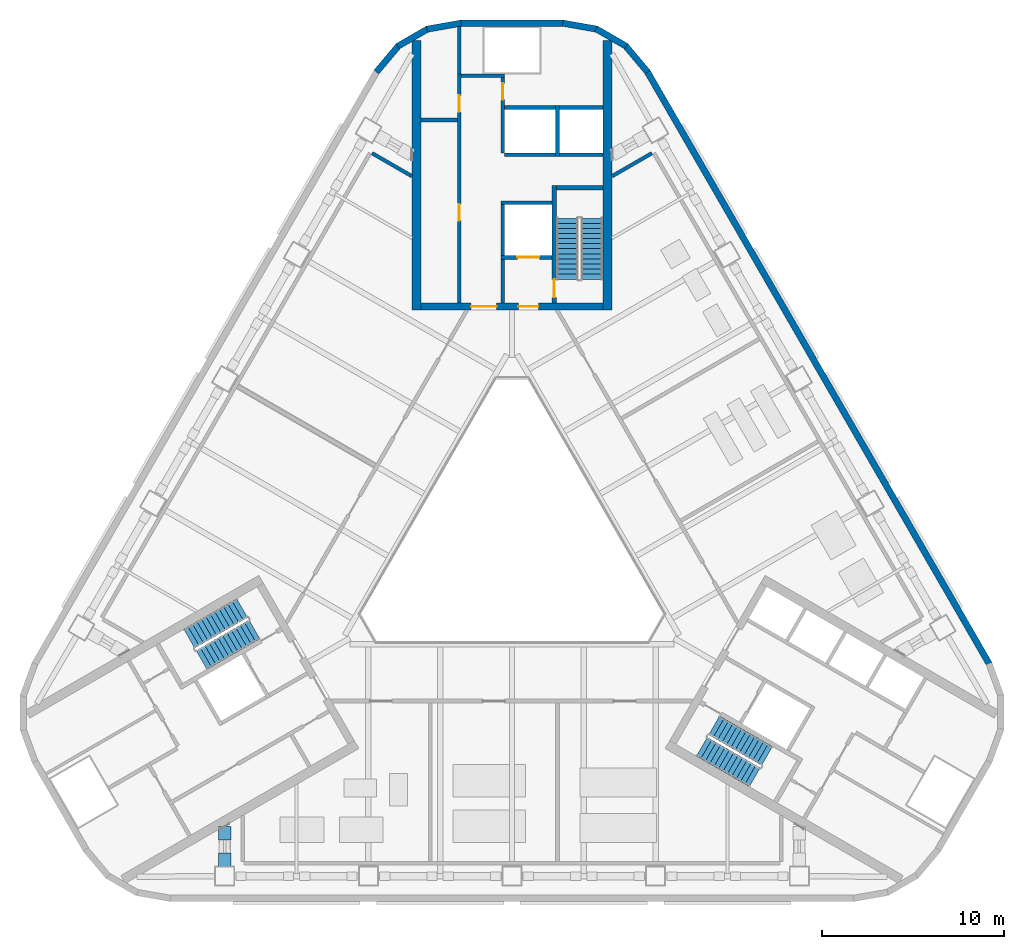
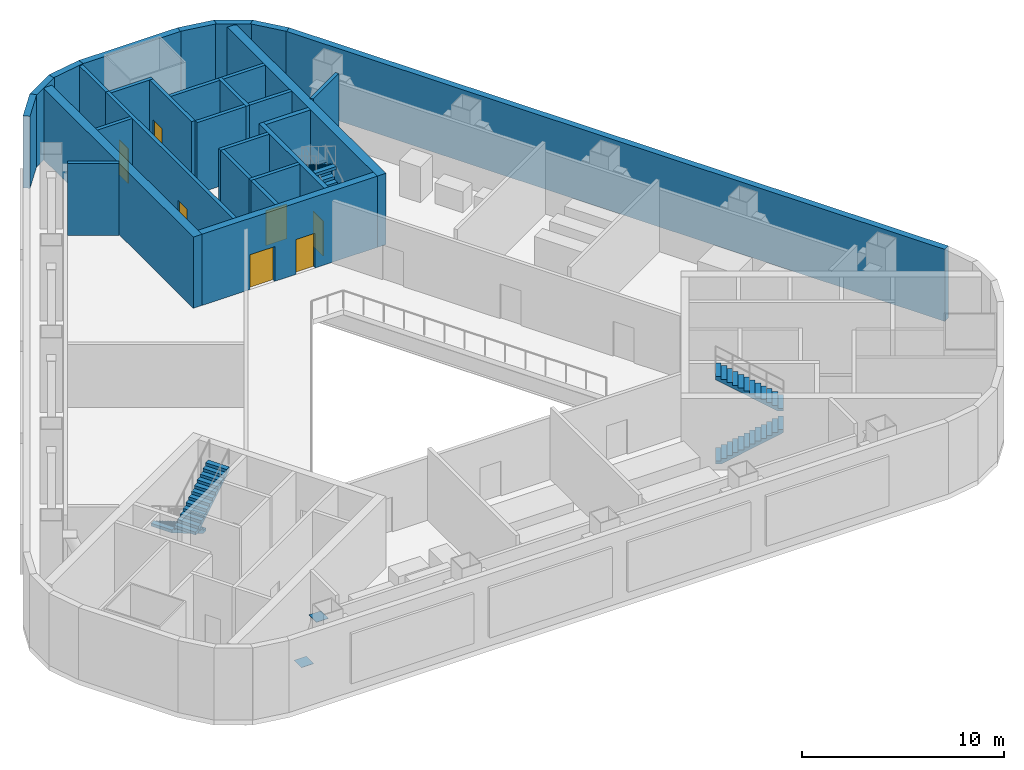
# One storey, part 8 of 14: 29 walls, 7 doors, 6 stair flights, 2 discrete accessories, 7 openings, 3 elements without a shape of their own.
"""IFC4 building model written with IfcOpenShell, lengths in metres."""

from ifc_helpers import new_model, si_unit, direction, frame, frame_2d, origin, origin_2d, place, context, subcontext, project, spatial, polyline, rectangle, outline, extrude, material, layer, layer_set, type_object, element, fill, aggregate, save


model = new_model("IFC4")

# Units and contexts
model_context = context("Model", 3, precision=1e-05, world=origin(), true_north=direction((0.0, 1.0)))
body_context = subcontext(model_context, "Body", "Model", "MODEL_VIEW")
ifc_project = project(units=[si_unit("LENGTHUNIT", "METRE"), si_unit("AREAUNIT", "SQUARE_METRE"), si_unit("VOLUMEUNIT", "CUBIC_METRE"), si_unit("PLANEANGLEUNIT", "RADIAN"), si_unit("MASSUNIT", "GRAM", prefix="KILO")], contexts=[model_context])

# Site, building, storey
site_placement = place(None, origin())
site = spatial("IfcSite", under=ifc_project, at=site_placement, CompositionType="ELEMENT")
building_placement = place(site_placement, origin())
building = spatial("IfcBuilding", under=site, at=building_placement, Name="Apuvela Tower Hotel", CompositionType="ELEMENT")
storey_placement = place(building_placement, frame((0.0, 0.0, 42.0)))
storey = spatial("IfcBuildingStorey", under=building, at=storey_placement, Name="L07 Plant", CompositionType="ELEMENT", Elevation=42.0)

# Wall, openings, doors
ifc_material_1 = material(Name="Concrete C50/60", Category="concrete")
ifc_layer_1 = layer(ifc_material_1, 0.39990234375)
ifc_layer_set_1 = layer_set([ifc_layer_1], Name="COR-WALL-CORE-400")
wall_type_1 = type_object("IfcWallType", Name="COR-WALL-CORE-400", PredefinedType="SHEAR", material=ifc_layer_set_1)
wall_1_placement = place(storey_placement, frame((5.0, 13.10009765625, 0.0), z_axis=(0.0, 0.0, 1.0), x_axis=(-1.0, 0.0, 0.0)))
wall_1 = element("IfcWall", 1, at=wall_1_placement, inside=storey, type_object=wall_type_1, Name="Core wall N", PredefinedType="SHEAR", context=body_context, shape_type="SweptSolid", body=[
    extrude(rectangle(XDim=10.0, YDim=0.39990234375, at=frame_2d((5.0, 0.0))), origin(), (0.0, 0.0, 1.0), 4.300048828125),
])
opening_1_placement = place(wall_1_placement, frame((3.550048828125, 0.0, 0.0)))
opening_1 = element("IfcOpeningElement", 2, at=opening_1_placement, cuts=wall_1, Name="Opening N-FD", PredefinedType="OPENING", context=body_context, shape_type="SweptSolid", body=[
    extrude(rectangle(XDim=1.10009765625, YDim=2.10009765625, at=frame_2d((0.550048828125, 1.050048828125))), frame((0.0, 0.2099609375, 0.0), z_axis=(0.0, -1.0, 0.0), x_axis=(1.0, 0.0, 0.0)), (0.0, 0.0, 1.0), 0.419921875),
])
opening_2_placement = place(wall_1_placement, frame((5.85009765625, 0.0, 0.0)))
opening_2 = element("IfcOpeningElement", 3, at=opening_2_placement, cuts=wall_1, Name="Opening N-GD", PredefinedType="OPENING", context=body_context, shape_type="SweptSolid", body=[
    extrude(rectangle(XDim=1.39990234375, YDim=2.10009765625, at=frame_2d((0.699951171875, 1.050048828125))), frame((0.0, 0.2099609375, 0.0), z_axis=(0.0, -1.0, 0.0), x_axis=(1.0, 0.0, 0.0)), (0.0, 0.0, 1.0), 0.419921875),
])
ifc_material_2 = material(Name="Steel fire door, powder coated", Category="steel")
door_type_1 = type_object("IfcDoorType", Name="COR-FD-1100", OperationType="NOTDEFINED", PredefinedType="DOOR", material=ifc_material_2)
door_1_placement = place(opening_1_placement, frame((1.10009765625, 0.0, 0.0), z_axis=(0.0, 0.0, 1.0), x_axis=(-1.0, 0.0, 0.0)))
door_1 = element("IfcDoor", 4, at=door_1_placement, inside=storey, type_object=door_type_1, Name="Firefighting lobby door N-FD", OperationType="SINGLE_SWING_LEFT", OverallHeight=2.10009765625, OverallWidth=1.10009765625, PredefinedType="DOOR", context=body_context, shape_type="SweptSolid", body=[
    extrude(rectangle(XDim=1.10009765625, YDim=2.10009765625, at=frame_2d((0.550048828125, 1.050048828125))), frame((0.0, 0.02490234375, 0.0), z_axis=(0.0, -1.0, 0.0), x_axis=(1.0, 0.0, 0.0)), (0.0, 0.0, 1.0), 0.050048828125),
])
fill(opening_1, door_1)
ifc_material_3 = material(Name="Glazed steel fire door", Category="steel")
door_type_2 = type_object("IfcDoorType", Name="COR-GD-1400", OperationType="DOUBLE_DOOR_SINGLE_SWING", PredefinedType="DOOR", material=ifc_material_3)
door_2_placement = place(opening_2_placement, frame((1.39990234375, 0.0, 0.0), z_axis=(0.0, 0.0, 1.0), x_axis=(-1.0, 0.0, 0.0)))
door_2 = element("IfcDoor", 5, at=door_2_placement, inside=storey, type_object=door_type_2, Name="Lift lobby door N-GD", OperationType="DOUBLE_DOOR_SINGLE_SWING", OverallHeight=2.10009765625, OverallWidth=1.39990234375, PredefinedType="DOOR", context=body_context, shape_type="SweptSolid", body=[
    extrude(rectangle(XDim=1.39990234375, YDim=2.10009765625, at=frame_2d((0.699951171875, 1.050048828125))), frame((0.0, 0.02490234375, 0.0), z_axis=(0.0, -1.0, 0.0), x_axis=(1.0, 0.0, 0.0)), (0.0, 0.0, 1.0), 0.050048828125),
])
fill(opening_2, door_2)

# Walls
ifc_layer_2 = layer(ifc_material_1, 0.5)
ifc_layer_set_2 = layer_set([ifc_layer_2], Name="COR-WALL-CORE-500")
wall_type_2 = type_object("IfcWallType", Name="COR-WALL-CORE-500", PredefinedType="SHEAR", material=ifc_layer_set_2)
for number, where, z_axis, x_axis, name in (
    (6, (5.25, 12.89990234375, 0.0), (0.0, 0.0, 1.0), (0.0, 1.0, 0.0), "Core wall N"),
    (7, (-5.25, 12.89990234375, 0.0), (0.0, 0.0, 1.0), (0.0, 1.0, 0.0), "Core wall N"),
):
    element("IfcWall", number, at=place(storey_placement, frame(where, z_axis=z_axis, x_axis=x_axis)), inside=storey, type_object=wall_type_2, Name=name, PredefinedType="SHEAR", context=body_context, shape_type="SweptSolid", body=[
        extrude(rectangle(XDim=14.8369140625, YDim=0.5, at=frame_2d((7.41845703125, 0.0))), origin(), (0.0, 0.0, 1.0), 4.300048828125),
    ])
ifc_material_4 = material(Name="Blockwork 200 mm plastered", Category="masonry")
ifc_layer_3 = layer(ifc_material_4, 0.199951171875)
ifc_layer_set_3 = layer_set([ifc_layer_3], Name="COR-WALL-PART-200")
wall_type_3 = type_object("IfcWallType", Name="COR-WALL-PART-200", PredefinedType="PARTITIONING", material=ifc_layer_set_3)
wall_2_placement = place(storey_placement, frame((5.0, 21.449951171875, 0.0), z_axis=(0.0, 0.0, 1.0), x_axis=(-1.0, 0.0, 0.0)))
element("IfcWall", 8, at=wall_2_placement, inside=storey, type_object=wall_type_3, Name="Partition N", PredefinedType="PARTITIONING", context=body_context, shape_type="SweptSolid", body=[
    extrude(rectangle(XDim=2.39990234375, YDim=0.199951171875, at=frame_2d((1.199951171875, 0.0))), origin(), (0.0, 0.0, 1.0), 4.300048828125),
])
wall_3_placement = place(storey_placement, frame((2.39990234375, 21.449951171875, 0.0), z_axis=(0.0, 0.0, 1.0), x_axis=(-1.0, 0.0, 0.0)))
element("IfcWall", 9, at=wall_3_placement, inside=storey, type_object=wall_type_3, Name="Partition N", PredefinedType="PARTITIONING", context=body_context, shape_type="SweptSolid", body=[
    extrude(rectangle(XDim=2.7998046875, YDim=0.199951171875, at=frame_2d((1.39990234375, 0.0))), origin(), (0.0, 0.0, 1.0), 4.300048828125),
])
ifc_layer_4 = layer(ifc_material_1, 0.199951171875)
ifc_layer_set_4 = layer_set([ifc_layer_4], Name="COR-WALL-SHAFT-200")
wall_type_4 = type_object("IfcWallType", Name="COR-WALL-SHAFT-200", PredefinedType="SHEAR", material=ifc_layer_set_4)
wall_4_placement = place(storey_placement, frame((2.199951171875, 18.800048828125, 0.0), z_axis=(0.0, 0.0, 1.0), x_axis=(-1.0, 0.0, 0.0)))
element("IfcWall", 10, at=wall_4_placement, inside=storey, type_object=wall_type_4, Name="Shaft wall N", PredefinedType="SHEAR", context=body_context, shape_type="SweptSolid", body=[
    extrude(rectangle(XDim=2.800048828125, YDim=0.199951171875, at=frame_2d((1.39990234375, 0.0))), origin(), (0.0, 0.0, 1.0), 4.300048828125),
])

# Wall, opening, door
wall_5_placement = place(storey_placement, frame((2.199951171875, 15.800048828125, 0.0), z_axis=(0.0, 0.0, 1.0), x_axis=(-1.0, 0.0, 0.0)))
wall_5 = element("IfcWall", 11, at=wall_5_placement, inside=storey, type_object=wall_type_4, Name="Shaft wall N", PredefinedType="SHEAR", context=body_context, shape_type="SweptSolid", body=[
    extrude(rectangle(XDim=2.800048828125, YDim=0.199951171875, at=frame_2d((1.39990234375, 0.0))), origin(), (0.0, 0.0, 1.0), 4.300048828125),
])
opening_3_placement = place(wall_5_placement, frame((0.699951171875, 0.0, 0.0)))
opening_3 = element("IfcOpeningElement", 12, at=opening_3_placement, cuts=wall_5, Name="Opening N-LD-FS1", PredefinedType="OPENING", context=body_context, shape_type="SweptSolid", body=[
    extrude(rectangle(XDim=1.199951171875, YDim=2.10009765625, at=frame_2d((0.60009765625, 1.050048828125))), frame((0.0, 0.10986328125, 0.0), z_axis=(0.0, -1.0, 0.0), x_axis=(1.0, 0.0, 0.0)), (0.0, 0.0, 1.0), 0.219970703125),
])
ifc_material_5 = material(Name="Stainless steel lift landing door", Category="steel")
door_type_3 = type_object("IfcDoorType", Name="COR-LD-1200", OperationType="DOUBLE_DOOR_SLIDING", PredefinedType="DOOR", material=ifc_material_5)
door_3_placement = place(opening_3_placement, origin())
door_3 = element("IfcDoor", 13, at=door_3_placement, inside=storey, type_object=door_type_3, Name="Lift landing door N-LD-FS1", OperationType="DOUBLE_DOOR_SLIDING", OverallHeight=2.10009765625, OverallWidth=1.199951171875, PredefinedType="DOOR", context=body_context, shape_type="SweptSolid", body=[
    extrude(rectangle(XDim=1.199951171875, YDim=2.10009765625, at=frame_2d((0.60009765625, 1.050048828125))), frame((0.0, 0.02490234375, 0.0), z_axis=(0.0, -1.0, 0.0), x_axis=(1.0, 0.0, 0.0)), (0.0, 0.0, 1.0), 0.050048828125),
])
fill(opening_3, door_3)

# Walls
wall_6_placement = place(storey_placement, frame((-0.5, 15.89990234375, 0.0), z_axis=(0.0, 0.0, 1.0), x_axis=(0.0, 1.0, 0.0)))
element("IfcWall", 14, at=wall_6_placement, inside=storey, type_object=wall_type_4, Name="Shaft wall N", PredefinedType="SHEAR", context=body_context, shape_type="SweptSolid", body=[
    extrude(rectangle(XDim=2.800048828125, YDim=0.199951171875, at=frame_2d((1.39990234375, 0.0))), origin(), (0.0, 0.0, 1.0), 4.300048828125),
])
wall_7_placement = place(storey_placement, frame((-0.5, 13.300048828125, 0.0), z_axis=(0.0, 0.0, 1.0), x_axis=(0.0, 1.0, 0.0)))
element("IfcWall", 15, at=wall_7_placement, inside=storey, type_object=wall_type_4, Name="Shaft wall N", PredefinedType="SHEAR", context=body_context, shape_type="SweptSolid", body=[
    extrude(rectangle(XDim=2.39990234375, YDim=0.199951171875, at=frame_2d((1.199951171875, 0.0))), origin(), (0.0, 0.0, 1.0), 4.300048828125),
])

# Wall, openings, doors
wall_8_placement = place(storey_placement, frame((-2.89990234375, 13.300048828125, 0.0), z_axis=(0.0, 0.0, 1.0), x_axis=(0.0, 1.0, 0.0)))
wall_8 = element("IfcWall", 16, at=wall_8_placement, inside=storey, type_object=wall_type_4, Name="Shaft wall N", PredefinedType="SHEAR", context=body_context, shape_type="SweptSolid", body=[
    extrude(rectangle(XDim=12.599853515625, YDim=0.199951171875, at=frame_2d((6.2998046875, 0.0))), origin(), (0.0, 0.0, 1.0), 4.300048828125),
])
opening_4_placement = place(wall_8_placement, frame((4.530029296875, 0.0, 0.0)))
opening_4 = element("IfcOpeningElement", 17, at=opening_4_placement, cuts=wall_8, Name="Opening N-RE1", PredefinedType="OPENING", context=body_context, shape_type="SweptSolid", body=[
    extrude(rectangle(XDim=0.89990234375, YDim=2.10009765625, at=frame_2d((0.449951171875, 1.050048828125))), frame((0.0, 0.10986328125, 0.0), z_axis=(0.0, -1.0, 0.0), x_axis=(1.0, 0.0, 0.0)), (0.0, 0.0, 1.0), 0.219970703125),
])
opening_5_placement = place(wall_8_placement, frame((10.510009765625, 0.0, 0.0)))
opening_5 = element("IfcOpeningElement", 18, at=opening_5_placement, cuts=wall_8, Name="Opening N-REP", PredefinedType="OPENING", context=body_context, shape_type="SweptSolid", body=[
    extrude(rectangle(XDim=0.89990234375, YDim=2.10009765625, at=frame_2d((0.449951171875, 1.050048828125))), frame((0.0, 0.10986328125, 0.0), z_axis=(0.0, -1.0, 0.0), x_axis=(1.0, 0.0, 0.0)), (0.0, 0.0, 1.0), 0.219970703125),
])
door_type_4 = type_object("IfcDoorType", Name="COR-DR-900", OperationType="NOTDEFINED", PredefinedType="DOOR", material=ifc_material_2)
door_4_placement = place(opening_4_placement, origin())
door_4 = element("IfcDoor", 19, at=door_4_placement, inside=storey, type_object=door_type_4, Name="Store door N-RE1", OperationType="SINGLE_SWING_LEFT", OverallHeight=2.10009765625, OverallWidth=0.89990234375, PredefinedType="DOOR", context=body_context, shape_type="SweptSolid", body=[
    extrude(rectangle(XDim=0.89990234375, YDim=2.10009765625, at=frame_2d((0.449951171875, 1.050048828125))), frame((0.0, 0.02490234375, 0.0), z_axis=(0.0, -1.0, 0.0), x_axis=(1.0, 0.0, 0.0)), (0.0, 0.0, 1.0), 0.050048828125),
])
fill(opening_4, door_4)
door_5_placement = place(opening_5_placement, origin())
door_5 = element("IfcDoor", 20, at=door_5_placement, inside=storey, type_object=door_type_4, Name="Store door N-REP", OperationType="SINGLE_SWING_RIGHT", OverallHeight=2.10009765625, OverallWidth=0.89990234375, PredefinedType="DOOR", context=body_context, shape_type="SweptSolid", body=[
    extrude(rectangle(XDim=0.89990234375, YDim=2.10009765625, at=frame_2d((0.449951171875, 1.050048828125))), frame((0.0, 0.02490234375, 0.0), z_axis=(0.0, -1.0, 0.0), x_axis=(1.0, 0.0, 0.0)), (0.0, 0.0, 1.0), 0.050048828125),
])
fill(opening_5, door_5)

# Wall
wall_9_placement = place(storey_placement, frame((-0.39990234375, 25.800048828125, 0.0), z_axis=(0.0, 0.0, 1.0), x_axis=(-1.0, 0.0, 0.0)))
element("IfcWall", 21, at=wall_9_placement, inside=storey, type_object=wall_type_4, Name="Shaft wall N", PredefinedType="SHEAR", context=body_context, shape_type="SweptSolid", body=[
    extrude(rectangle(XDim=2.400146484375, YDim=0.199951171875, at=frame_2d((1.2001953125, 0.0))), origin(), (0.0, 0.0, 1.0), 4.300048828125),
])

# Wall, opening, door
wall_10_placement = place(storey_placement, frame((-0.5, 21.550048828125, 0.0), z_axis=(0.0, 0.0, 1.0), x_axis=(0.0, 1.0, 0.0)))
wall_10 = element("IfcWall", 22, at=wall_10_placement, inside=storey, type_object=wall_type_4, Name="Shaft wall N", PredefinedType="SHEAR", context=body_context, shape_type="SweptSolid", body=[
    extrude(rectangle(XDim=4.14990234375, YDim=0.199951171875, at=frame_2d((2.074951171875, 0.0))), origin(), (0.0, 0.0, 1.0), 4.300048828125),
])
opening_6_placement = place(wall_10_placement, frame((2.925048828125, 0.0, 0.0)))
opening_6 = element("IfcOpeningElement", 23, at=opening_6_placement, cuts=wall_10, Name="Opening N-RSP", PredefinedType="OPENING", context=body_context, shape_type="SweptSolid", body=[
    extrude(rectangle(XDim=0.89990234375, YDim=2.10009765625, at=frame_2d((0.449951171875, 1.050048828125))), frame((0.0, 0.10986328125, 0.0), z_axis=(0.0, -1.0, 0.0), x_axis=(1.0, 0.0, 0.0)), (0.0, 0.0, 1.0), 0.219970703125),
])
door_6_placement = place(opening_6_placement, frame((0.89990234375, 0.0, 0.0), z_axis=(0.0, 0.0, 1.0), x_axis=(-1.0, 0.0, 0.0)))
door_6 = element("IfcDoor", 24, at=door_6_placement, inside=storey, type_object=door_type_4, Name="Store door N-RSP", OperationType="SINGLE_SWING_LEFT", OverallHeight=2.10009765625, OverallWidth=0.89990234375, PredefinedType="DOOR", context=body_context, shape_type="SweptSolid", body=[
    extrude(rectangle(XDim=0.89990234375, YDim=2.10009765625, at=frame_2d((0.449951171875, 1.050048828125))), frame((0.0, 0.02490234375, 0.0), z_axis=(0.0, -1.0, 0.0), x_axis=(1.0, 0.0, 0.0)), (0.0, 0.0, 1.0), 0.050048828125),
])
fill(opening_6, door_6)

# Walls
wall_11_placement = place(storey_placement, frame((-3.0, 23.360107421875, 0.0), z_axis=(0.0, 0.0, 1.0), x_axis=(-1.0, 0.0, 0.0)))
element("IfcWall", 25, at=wall_11_placement, inside=storey, type_object=wall_type_4, Name="Shaft wall N", PredefinedType="SHEAR", context=body_context, shape_type="SweptSolid", body=[
    extrude(rectangle(XDim=2.0, YDim=0.199951171875, at=frame_2d((1.0, 0.0))), origin(), (0.0, 0.0, 1.0), 4.300048828125),
])
wall_12_placement = place(storey_placement, frame((-2.89990234375, 25.89990234375, 0.0), z_axis=(0.0, 0.0, 1.0), x_axis=(0.0, 1.0, 0.0)))
element("IfcWall", 26, at=wall_12_placement, inside=storey, type_object=wall_type_4, Name="Shaft wall N", PredefinedType="SHEAR", context=body_context, shape_type="SweptSolid", body=[
    extrude(rectangle(XDim=2.60009765625, YDim=0.199951171875, at=frame_2d((1.300048828125, 0.0))), origin(), (0.0, 0.0, 1.0), 4.300048828125),
])
wall_13_placement = place(storey_placement, frame((2.5, 21.35009765625, 0.0), z_axis=(0.0, 0.0, 1.0), x_axis=(0.0, 1.0, 0.0)))
element("IfcWall", 27, at=wall_13_placement, inside=storey, type_object=wall_type_4, Name="Shaft wall N", PredefinedType="SHEAR", context=body_context, shape_type="SweptSolid", body=[
    extrude(rectangle(XDim=2.7998046875, YDim=0.199951171875, at=frame_2d((1.39990234375, 0.0))), origin(), (0.0, 0.0, 1.0), 4.300048828125),
])
wall_14_placement = place(storey_placement, frame((5.0, 24.050048828125, 0.0), z_axis=(0.0, 0.0, 1.0), x_axis=(-1.0, 0.0, 0.0)))
element("IfcWall", 28, at=wall_14_placement, inside=storey, type_object=wall_type_4, Name="Shaft wall N", PredefinedType="SHEAR", context=body_context, shape_type="SweptSolid", body=[
    extrude(rectangle(XDim=2.39990234375, YDim=0.199951171875, at=frame_2d((1.199951171875, 0.0))), origin(), (0.0, 0.0, 1.0), 4.300048828125),
])
wall_15_placement = place(storey_placement, frame((2.39990234375, 24.050048828125, 0.0), z_axis=(0.0, 0.0, 1.0), x_axis=(-1.0, 0.0, 0.0)))
element("IfcWall", 29, at=wall_15_placement, inside=storey, type_object=wall_type_4, Name="Shaft wall N", PredefinedType="SHEAR", context=body_context, shape_type="SweptSolid", body=[
    extrude(rectangle(XDim=2.7998046875, YDim=0.199951171875, at=frame_2d((1.39990234375, 0.0))), origin(), (0.0, 0.0, 1.0), 4.300048828125),
])

# Wall, opening, door
ifc_layer_5 = layer(ifc_material_1, 0.25)
ifc_layer_set_5 = layer_set([ifc_layer_5], Name="COR-WALL-STAIR-250")
wall_type_5 = type_object("IfcWallType", Name="COR-WALL-STAIR-250", PredefinedType="SHEAR", material=ifc_layer_set_5)
wall_16_placement = place(storey_placement, frame((2.324951171875, 13.300048828125, 0.0), z_axis=(0.0, 0.0, 1.0), x_axis=(0.0, 1.0, 0.0)))
wall_16 = element("IfcWall", 30, at=wall_16_placement, inside=storey, type_object=wall_type_5, Name="Stair wall N", PredefinedType="SHEAR", context=body_context, shape_type="SweptSolid", body=[
    extrude(rectangle(XDim=6.449951171875, YDim=0.25, at=frame_2d((3.22509765625, 0.0))), origin(), (0.0, 0.0, 1.0), 4.300048828125),
])
opening_7_placement = place(wall_16_placement, frame((0.300048828125, 0.0, 0.0)))
opening_7 = element("IfcOpeningElement", 31, at=opening_7_placement, cuts=wall_16, Name="Opening N-SD", PredefinedType="OPENING", context=body_context, shape_type="SweptSolid", body=[
    extrude(rectangle(XDim=1.0, YDim=2.10009765625, at=frame_2d((0.5, 1.050048828125))), frame((0.0, 0.135009765625, 0.0), z_axis=(0.0, -1.0, 0.0), x_axis=(1.0, 0.0, 0.0)), (0.0, 0.0, 1.0), 0.27001953125),
])
door_type_5 = type_object("IfcDoorType", Name="COR-SD-1000", OperationType="NOTDEFINED", PredefinedType="DOOR", material=ifc_material_2)
door_7_placement = place(opening_7_placement, frame((1.0, 0.0, 0.0), z_axis=(0.0, 0.0, 1.0), x_axis=(-1.0, 0.0, 0.0)))
door_7 = element("IfcDoor", 32, at=door_7_placement, inside=storey, type_object=door_type_5, Name="Stair door N-SD", OperationType="SINGLE_SWING_LEFT", OverallHeight=2.10009765625, OverallWidth=1.0, PredefinedType="DOOR", context=body_context, shape_type="SweptSolid", body=[
    extrude(rectangle(XDim=1.0, YDim=2.10009765625, at=frame_2d((0.5, 1.050048828125))), frame((0.0, 0.02490234375, 0.0), z_axis=(0.0, -1.0, 0.0), x_axis=(1.0, 0.0, 0.0)), (0.0, 0.0, 1.0), 0.050048828125),
])
fill(opening_7, door_7)

# Walls
wall_17_placement = place(storey_placement, frame((5.0, 19.625, 0.0), z_axis=(0.0, 0.0, 1.0), x_axis=(-1.0, 0.0, 0.0)))
element("IfcWall", 33, at=wall_17_placement, inside=storey, type_object=wall_type_5, Name="Stair wall N", PredefinedType="SHEAR", context=body_context, shape_type="SweptSolid", body=[
    extrude(rectangle(XDim=2.550048828125, YDim=0.25, at=frame_2d((1.27490234375, 0.0))), origin(), (0.0, 0.0, 1.0), 4.300048828125),
])
ifc_material_6 = material(Name="Concrete C40/50, dark pigmented precast panel", Category="concrete")
ifc_layer_6 = layer(ifc_material_6, 0.35009765625)
ifc_layer_set_6 = layer_set([ifc_layer_6], Name="ENV-WALL-350")
wall_type_6 = type_object("IfcWallType", Name="ENV-WALL-350", PredefinedType="SOLIDWALL", material=ifc_layer_set_6)
for number, where, z_axis, x_axis, name in (
    (34, (6.27685546875, 27.421630859375, 0.0), (0.0, 0.0, 1.0), (-0.866032345022, 0.499987977232, 0.0), "External wall L07 Plant-01"),
    (35, (4.6796875, 28.35595703125, 0.0), (0.0, 0.0, 1.0), (-0.984798995425, 0.173697837091, 0.0), "External wall L07 Plant-02"),
):
    element("IfcWall", number, at=place(storey_placement, frame(where, z_axis=z_axis, x_axis=x_axis)), inside=storey, type_object=wall_type_6, Name=name, PredefinedType="SOLIDWALL", context=body_context, shape_type="SweptSolid", body=[
        extrude(rectangle(XDim=1.91015625, YDim=0.35009765625, at=frame_2d((0.955078125, 0.0))), origin(), (0.0, 0.0, 1.0), 4.35009765625),
    ])
wall_18_placement = place(storey_placement, frame((2.8291015625, 28.68505859375, 0.0), z_axis=(0.0, 0.0, 1.0), x_axis=(-1.0, 0.0, 0.0)))
element("IfcWall", 36, at=wall_18_placement, inside=storey, type_object=wall_type_6, Name="External wall L07 Plant-03", PredefinedType="SOLIDWALL", context=body_context, shape_type="SweptSolid", body=[
    extrude(rectangle(XDim=5.658203125, YDim=0.35009765625, at=frame_2d((2.8291015625, 0.0))), origin(), (0.0, 0.0, 1.0), 4.35009765625),
])
for number, where, z_axis, x_axis, name in (
    (37, (-2.798583984375, 28.687744140625, 0.0), (0.0, 0.0, 1.0), (-0.984798995425, -0.173697837091, 0.0), "External wall L07 Plant-04"),
    (38, (-4.62255859375, 28.376708984375, 0.0), (0.0, 0.0, 1.0), (-0.866032345022, -0.499987977232, 0.0), "External wall L07 Plant-05"),
):
    element("IfcWall", number, at=place(storey_placement, frame(where, z_axis=z_axis, x_axis=x_axis)), inside=storey, type_object=wall_type_6, Name=name, PredefinedType="SOLIDWALL", context=body_context, shape_type="SweptSolid", body=[
        extrude(rectangle(XDim=1.91015625, YDim=0.35009765625, at=frame_2d((0.955078125, 0.0))), origin(), (0.0, 0.0, 1.0), 4.35009765625),
    ])
wall_19_placement = place(storey_placement, frame((-6.230224609375, 27.460693359375, 0.0), z_axis=(0.0, 0.0, 1.0), x_axis=(-0.642808304945, -0.766027077259, 0.0)))
element("IfcWall", 39, at=wall_19_placement, inside=storey, type_object=wall_type_6, Name="External wall L07 Plant-06", PredefinedType="SOLIDWALL", context=body_context, shape_type="SweptSolid", body=[
    extrude(rectangle(XDim=1.909912109375, YDim=0.35009765625, at=frame_2d((0.955078125, 0.0))), origin(), (0.0, 0.0, 1.0), 4.35009765625),
])
wall_20_placement = place(storey_placement, frame((26.25634765625, -6.5673828125, 0.0), z_axis=(0.0, 0.0, 1.0), x_axis=(-0.499998380999, 0.866026338513, 0.0)))
element("IfcWall", 40, at=wall_20_placement, inside=storey, type_object=wall_type_6, Name="External wall L07 Plant-23", PredefinedType="SOLIDWALL", context=body_context, shape_type="SweptSolid", body=[
    extrude(rectangle(XDim=37.63134765625, YDim=0.35009765625, at=frame_2d((18.815673828125, 0.0))), origin(), (0.0, 0.0, 1.0), 4.35009765625),
])
wall_21_placement = place(storey_placement, frame((7.4580078125, 25.99755859375, 0.0), z_axis=(0.0, 0.0, 1.0), x_axis=(-0.642808304945, 0.766027077259, 0.0)))
element("IfcWall", 41, at=wall_21_placement, inside=storey, type_object=wall_type_6, Name="External wall L07 Plant-24", PredefinedType="SOLIDWALL", context=body_context, shape_type="SweptSolid", body=[
    extrude(rectangle(XDim=1.909912109375, YDim=0.35009765625, at=frame_2d((0.955078125, 0.0))), origin(), (0.0, 0.0, 1.0), 4.35009765625),
])
ifc_material_7 = material(Name="Reinforced blockwork B15", Category="masonry")
ifc_layer_7 = layer(ifc_material_7, 0.199951171875)
ifc_layer_set_7 = layer_set([ifc_layer_7], Name="SPC-WALL-PLANT")
wall_type_7 = type_object("IfcWallType", Name="SPC-WALL-PLANT", PredefinedType="PARTITIONING", material=ifc_layer_set_7)
for number, where, z_axis, x_axis, name in (
    (42, (7.69482421875, 21.5322265625, 0.0), (0.0, 0.0, 1.0), (-0.865999496279, -0.500044870432, 0.0), "Wall L07-NE-P06"),
    (43, (-7.69482421875, 21.5322265625, 0.0), (0.0, 0.0, 1.0), (0.865999496279, -0.500044870432, 0.0), "Wall L07-NW-P03"),
):
    element("IfcWall", number, at=place(storey_placement, frame(where, z_axis=z_axis, x_axis=x_axis)), inside=storey, type_object=wall_type_7, Name=name, PredefinedType="PARTITIONING", context=body_context, shape_type="SweptSolid", body=[
        extrude(rectangle(XDim=2.534423828125, YDim=0.199951171875, at=frame_2d((1.26708984375, 0.0))), origin(), (0.0, 0.0, 1.0), 4.35009765625),
    ])

# Stair, stair flights
stair_type = type_object("IfcStairType", Name="COR-STAIR-26R", PredefinedType="HALF_TURN_STAIR", material=ifc_material_1)
stair_1_placement = place(storey_placement, origin())
stair_1 = element("IfcStair", 44, at=stair_1_placement, inside=storey, type_object=stair_type, Name="L07 Plant Exit stair ST1", PredefinedType="HALF_TURN_STAIR")
stair_flight_type = type_object("IfcStairFlightType", Name="COR-FLIGHT-13R", PredefinedType="STRAIGHT", material=ifc_material_1)
stair_flight_1_placement = place(storey_placement, frame((4.39990234375, 14.60009765625, 0.0), z_axis=(0.0, 0.0, 1.0), x_axis=(0.0, 1.0, 0.0)))
stair_flight_1 = element("IfcStairFlight", 45, at=stair_flight_1_placement, type_object=stair_flight_type, Name="ST1 flight 1", NumberOfRisers=13, NumberOfTreads=12, PredefinedType="STRAIGHT", RiserHeight=0.173076923, TreadLength=0.28, context=body_context, shape_type="SweptSolid", body=[
    extrude(outline(polyline([(0.0, 0.0), (0.0, 0.173095703125), (0.280029296875, 0.173095703125), (0.280029296875, 0.34619140625), (0.56005859375, 0.34619140625), (0.56005859375, 0.519287109375), (0.840087890625, 0.519287109375), (0.840087890625, 0.6923828125), (1.1201171875, 0.6923828125), (1.1201171875, 0.865478515625), (1.39990234375, 0.865478515625), (1.39990234375, 1.03857421875), (1.679931640625, 1.03857421875), (1.679931640625, 1.21142578125), (1.9599609375, 1.21142578125), (1.9599609375, 1.384521484375), (2.239990234375, 1.384521484375), (2.239990234375, 1.5576171875), (2.52001953125, 1.5576171875), (2.52001953125, 1.730712890625), (2.800048828125, 1.730712890625), (2.800048828125, 1.90380859375), (3.080078125, 1.90380859375), (3.080078125, 2.076904296875), (3.360107421875, 2.076904296875), (3.360107421875, 2.25), (3.360107421875, 1.900634765625), (0.28515625, 0.0), (0.0, 0.0)])), frame((0.0, 0.60009765625, 0.0), z_axis=(0.0, -1.0, 0.0), x_axis=(1.0, 0.0, 0.0)), (0.0, 0.0, 1.0), 1.199951171875),
])
stair_flight_2_placement = place(storey_placement, frame((3.050048828125, 17.9599609375, 2.25), z_axis=(0.0, 0.0, 1.0), x_axis=(0.0, -1.0, 0.0)))
stair_flight_2 = element("IfcStairFlight", 46, at=stair_flight_2_placement, type_object=stair_flight_type, Name="ST1 flight 2", NumberOfRisers=13, NumberOfTreads=12, PredefinedType="STRAIGHT", RiserHeight=0.173076923, TreadLength=0.28, context=body_context, shape_type="SweptSolid", body=[
    extrude(outline(polyline([(0.0, 0.0), (0.0, 0.173095703125), (0.280029296875, 0.173095703125), (0.280029296875, 0.34619140625), (0.56005859375, 0.34619140625), (0.56005859375, 0.519287109375), (0.840087890625, 0.519287109375), (0.840087890625, 0.6923828125), (1.1201171875, 0.6923828125), (1.1201171875, 0.865478515625), (1.39990234375, 0.865478515625), (1.39990234375, 1.03857421875), (1.679931640625, 1.03857421875), (1.679931640625, 1.21142578125), (1.9599609375, 1.21142578125), (1.9599609375, 1.384521484375), (2.239990234375, 1.384521484375), (2.239990234375, 1.5576171875), (2.52001953125, 1.5576171875), (2.52001953125, 1.730712890625), (2.800048828125, 1.730712890625), (2.800048828125, 1.90380859375), (3.080078125, 1.90380859375), (3.080078125, 2.076904296875), (3.360107421875, 2.076904296875), (3.360107421875, 2.25), (3.360107421875, 1.900634765625), (0.28515625, 0.0), (0.0, 0.0)])), frame((0.0, 0.60009765625, 0.0), z_axis=(0.0, -1.0, 0.0), x_axis=(1.0, 0.0, 0.0)), (0.0, 0.0, 1.0), 1.199951171875),
])
aggregate(stair_1, [stair_flight_1, stair_flight_2])

stair_2_placement = place(storey_placement, origin())
stair_2 = element("IfcStair", 47, at=stair_2_placement, inside=storey, type_object=stair_type, Name="L07 Plant Exit stair ST2", PredefinedType="HALF_TURN_STAIR")
stair_flight_3_placement = place(storey_placement, frame((-14.843994140625, -3.489501953125, 0.0), z_axis=(0.0, 0.0, 1.0), x_axis=(-0.866025403784, -0.5, 0.0)))
stair_flight_3 = element("IfcStairFlight", 48, at=stair_flight_3_placement, type_object=stair_flight_type, Name="ST2 flight 1", NumberOfRisers=13, NumberOfTreads=12, PredefinedType="STRAIGHT", RiserHeight=0.173076923, TreadLength=0.28, context=body_context, shape_type="SweptSolid", body=[
    extrude(outline(polyline([(0.0, 0.0), (0.0, 0.173095703125), (0.280029296875, 0.173095703125), (0.280029296875, 0.34619140625), (0.56005859375, 0.34619140625), (0.56005859375, 0.519287109375), (0.840087890625, 0.519287109375), (0.840087890625, 0.6923828125), (1.1201171875, 0.6923828125), (1.1201171875, 0.865478515625), (1.39990234375, 0.865478515625), (1.39990234375, 1.03857421875), (1.679931640625, 1.03857421875), (1.679931640625, 1.21142578125), (1.9599609375, 1.21142578125), (1.9599609375, 1.384521484375), (2.239990234375, 1.384521484375), (2.239990234375, 1.5576171875), (2.52001953125, 1.5576171875), (2.52001953125, 1.730712890625), (2.800048828125, 1.730712890625), (2.800048828125, 1.90380859375), (3.080078125, 1.90380859375), (3.080078125, 2.076904296875), (3.360107421875, 2.076904296875), (3.360107421875, 2.25), (3.360107421875, 1.900634765625), (0.28515625, 0.0), (0.0, 0.0)])), frame((0.0, 0.60009765625, 0.0), z_axis=(0.0, -1.0, 0.0), x_axis=(1.0, 0.0, 0.0)), (0.0, 0.0, 1.0), 1.199951171875),
])
stair_flight_4_placement = place(storey_placement, frame((-17.078857421875, -6.338623046875, 2.25), z_axis=(0.0, 0.0, 1.0), x_axis=(0.866025403784, 0.5, 0.0)))
stair_flight_4 = element("IfcStairFlight", 49, at=stair_flight_4_placement, type_object=stair_flight_type, Name="ST2 flight 2", NumberOfRisers=13, NumberOfTreads=12, PredefinedType="STRAIGHT", RiserHeight=0.173076923, TreadLength=0.28, context=body_context, shape_type="SweptSolid", body=[
    extrude(outline(polyline([(0.0, 0.0), (0.0, 0.173095703125), (0.280029296875, 0.173095703125), (0.280029296875, 0.34619140625), (0.56005859375, 0.34619140625), (0.56005859375, 0.519287109375), (0.840087890625, 0.519287109375), (0.840087890625, 0.6923828125), (1.1201171875, 0.6923828125), (1.1201171875, 0.865478515625), (1.39990234375, 0.865478515625), (1.39990234375, 1.03857421875), (1.679931640625, 1.03857421875), (1.679931640625, 1.21142578125), (1.9599609375, 1.21142578125), (1.9599609375, 1.384521484375), (2.239990234375, 1.384521484375), (2.239990234375, 1.5576171875), (2.52001953125, 1.5576171875), (2.52001953125, 1.730712890625), (2.800048828125, 1.730712890625), (2.800048828125, 1.90380859375), (3.080078125, 1.90380859375), (3.080078125, 2.076904296875), (3.360107421875, 2.076904296875), (3.360107421875, 2.25), (3.360107421875, 1.900634765625), (0.28515625, 0.0), (0.0, 0.0)])), frame((0.0, 0.60009765625, 0.0), z_axis=(0.0, -1.0, 0.0), x_axis=(1.0, 0.0, 0.0)), (0.0, 0.0, 1.0), 1.199951171875),
])
aggregate(stair_2, [stair_flight_3, stair_flight_4])

stair_3_placement = place(storey_placement, origin())
stair_3 = element("IfcStair", 50, at=stair_3_placement, inside=storey, type_object=stair_type, Name="L07 Plant Exit stair ST3", PredefinedType="HALF_TURN_STAIR")
stair_flight_5_placement = place(storey_placement, frame((10.444091796875, -11.110595703125, 0.0), z_axis=(0.0, 0.0, 1.0), x_axis=(0.866025403784, -0.5, 0.0)))
stair_flight_5 = element("IfcStairFlight", 51, at=stair_flight_5_placement, type_object=stair_flight_type, Name="ST3 flight 1", NumberOfRisers=13, NumberOfTreads=12, PredefinedType="STRAIGHT", RiserHeight=0.173076923, TreadLength=0.28, context=body_context, shape_type="SweptSolid", body=[
    extrude(outline(polyline([(0.0, 0.0), (0.0, 0.173095703125), (0.280029296875, 0.173095703125), (0.280029296875, 0.34619140625), (0.56005859375, 0.34619140625), (0.56005859375, 0.519287109375), (0.840087890625, 0.519287109375), (0.840087890625, 0.6923828125), (1.1201171875, 0.6923828125), (1.1201171875, 0.865478515625), (1.39990234375, 0.865478515625), (1.39990234375, 1.03857421875), (1.679931640625, 1.03857421875), (1.679931640625, 1.21142578125), (1.9599609375, 1.21142578125), (1.9599609375, 1.384521484375), (2.239990234375, 1.384521484375), (2.239990234375, 1.5576171875), (2.52001953125, 1.5576171875), (2.52001953125, 1.730712890625), (2.800048828125, 1.730712890625), (2.800048828125, 1.90380859375), (3.080078125, 1.90380859375), (3.080078125, 2.076904296875), (3.360107421875, 2.076904296875), (3.360107421875, 2.25), (3.360107421875, 1.900634765625), (0.28515625, 0.0), (0.0, 0.0)])), frame((0.0, 0.60009765625, 0.0), z_axis=(0.0, -1.0, 0.0), x_axis=(1.0, 0.0, 0.0)), (0.0, 0.0, 1.0), 1.199951171875),
])
stair_flight_6_placement = place(storey_placement, frame((14.02880859375, -11.621337890625, 2.25), z_axis=(0.0, 0.0, 1.0), x_axis=(-0.866025403784, 0.5, 0.0)))
stair_flight_6 = element("IfcStairFlight", 52, at=stair_flight_6_placement, type_object=stair_flight_type, Name="ST3 flight 2", NumberOfRisers=13, NumberOfTreads=12, PredefinedType="STRAIGHT", RiserHeight=0.173076923, TreadLength=0.28, context=body_context, shape_type="SweptSolid", body=[
    extrude(outline(polyline([(0.0, 0.0), (0.0, 0.173095703125), (0.280029296875, 0.173095703125), (0.280029296875, 0.34619140625), (0.56005859375, 0.34619140625), (0.56005859375, 0.519287109375), (0.840087890625, 0.519287109375), (0.840087890625, 0.6923828125), (1.1201171875, 0.6923828125), (1.1201171875, 0.865478515625), (1.39990234375, 0.865478515625), (1.39990234375, 1.03857421875), (1.679931640625, 1.03857421875), (1.679931640625, 1.21142578125), (1.9599609375, 1.21142578125), (1.9599609375, 1.384521484375), (2.239990234375, 1.384521484375), (2.239990234375, 1.5576171875), (2.52001953125, 1.5576171875), (2.52001953125, 1.730712890625), (2.800048828125, 1.730712890625), (2.800048828125, 1.90380859375), (3.080078125, 1.90380859375), (3.080078125, 2.076904296875), (3.360107421875, 2.076904296875), (3.360107421875, 2.25), (3.360107421875, 1.900634765625), (0.28515625, 0.0), (0.0, 0.0)])), frame((0.0, 0.60009765625, 0.0), z_axis=(0.0, -1.0, 0.0), x_axis=(1.0, 0.0, 0.0)), (0.0, 0.0, 1.0), 1.199951171875),
])
aggregate(stair_3, [stair_flight_5, stair_flight_6])

# Discrete accessories
ifc_material_8 = material(Name="Steel S355", Category="steel")
ifc_layer_8 = layer(ifc_material_8, 0.02001953125)
ifc_layer_set_8 = layer_set([ifc_layer_8], Name="STR-EP end plate 20")
discrete_accessory_type = type_object("IfcDiscreteAccessoryType", Name="STR-EP end plate 20", PredefinedType="BRACKET", material=ifc_layer_set_8)
for number, where, z_axis, x_axis, name in (
    (53, (-15.800048828125, -15.869140625, -0.300048828125), (0.0, 0.0, 1.0), (0.0, -1.0, 0.0), "End plate EP OD1 S1"),
    (54, (-15.800048828125, -17.330078125, 3.322021484375), (0.0, 0.0, 1.0), (0.0, -1.0, 0.0), "End plate EP OD1 S1"),
):
    element("IfcDiscreteAccessory", number, at=place(storey_placement, frame(where, z_axis=z_axis, x_axis=x_axis)), inside=storey, type_object=discrete_accessory_type, Name=name, PredefinedType="BRACKET", context=body_context, shape_type="SweptSolid", body=[
        extrude(rectangle(XDim=0.7373046875, YDim=0.68994140625, at=origin_2d()), origin(), (0.0, 0.0, 1.0), 0.02001953125),
    ])

save(model, "model.ifc")
